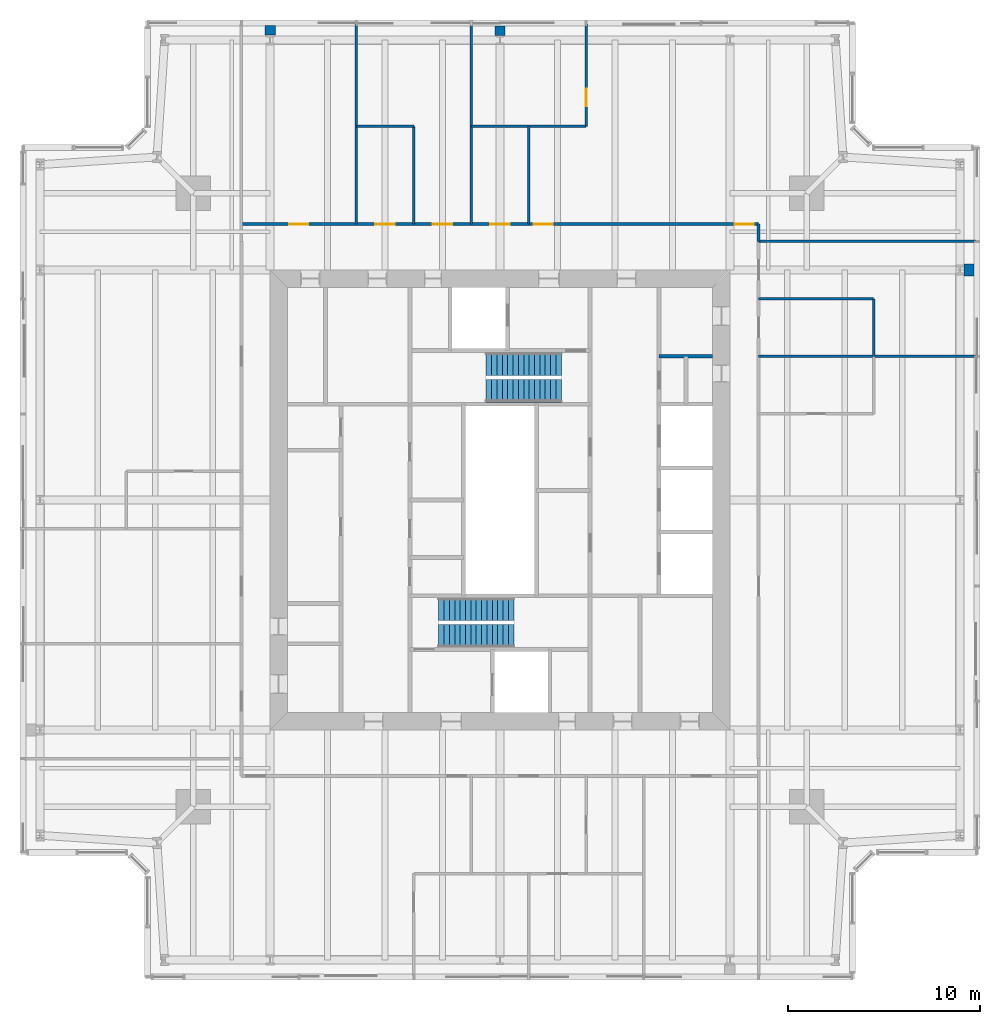
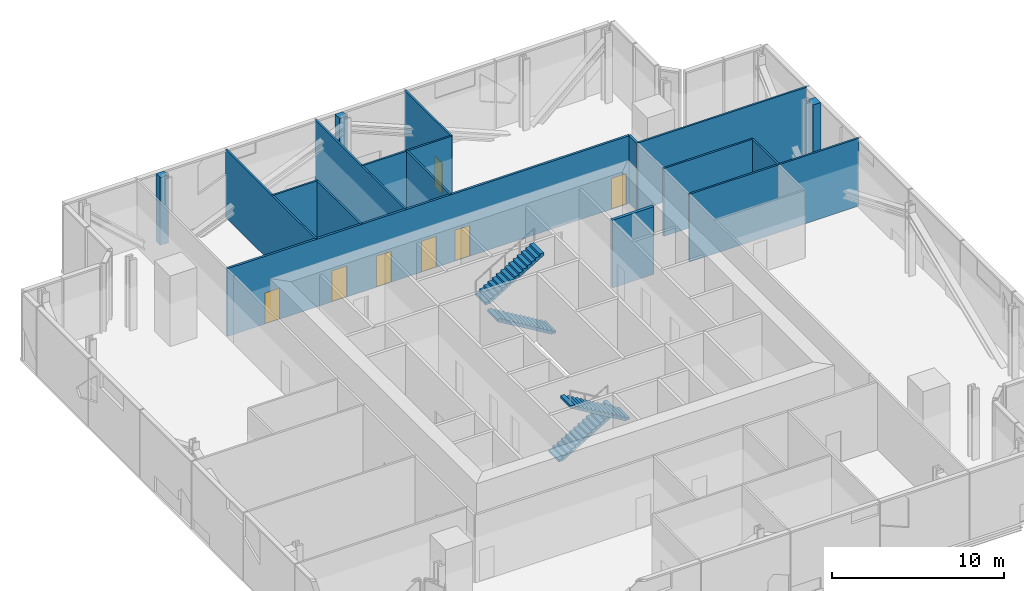
# One storey, part 10 of 15: 17 walls, 7 doors, 4 stair flights, 7 openings, 2 elements without a shape of their own.
"""IFC4 building model written with IfcOpenShell, lengths in metres."""

from ifc_helpers import new_model, si_unit, direction, frame, frame_2d, origin, place, context, subcontext, project, spatial, polyline, rectangle, outline, extrude, material, layer, layer_set, type_object, element, fill, aggregate, save


model = new_model("IFC4")

# Units and contexts
model_context = context("Model", 3, precision=1e-05, world=origin(), true_north=direction((0.0, 1.0)))
body_context = subcontext(model_context, "Body", "Model", "MODEL_VIEW")
ifc_project = project(units=[si_unit("LENGTHUNIT", "METRE"), si_unit("AREAUNIT", "SQUARE_METRE"), si_unit("VOLUMEUNIT", "CUBIC_METRE"), si_unit("PLANEANGLEUNIT", "RADIAN"), si_unit("MASSUNIT", "GRAM", prefix="KILO")], contexts=[model_context])

# Site, building, storey
site_placement = place(None, origin())
site = spatial("IfcSite", under=ifc_project, at=site_placement, CompositionType="ELEMENT")
building_placement = place(site_placement, origin())
building = spatial("IfcBuilding", under=site, at=building_placement, Name="Fenwick Lantern Interchange", CompositionType="ELEMENT")
storey_placement = place(building_placement, frame((0.0, 0.0, 296.800048828125)))
storey = spatial("IfcBuildingStorey", under=building, at=storey_placement, Name="L72", CompositionType="ELEMENT", Elevation=296.800048828125)

# Walls
ifc_material_1 = material(Name="Fire-rated gypsum board encasement on steel studs, 2 hour", Category="steel")
ifc_layer_1 = layer(ifc_material_1, 0.52392578125)
ifc_layer_set_1 = layer_set([ifc_layer_1], Name="COLUMN PIER 524")
wall_type_1 = type_object("IfcWallType", Name="COLUMN PIER 524", PredefinedType="PARTITIONING", material=ifc_layer_set_1)
wall_1_placement = place(storey_placement, frame((25.0, 49.75, 0.0), z_axis=(0.0, 0.0, 1.0), x_axis=(0.0, -1.0, 0.0)))
element("IfcWall", 1, at=wall_1_placement, inside=storey, type_object=wall_type_1, Name="L72/W/PIER/CN3", PredefinedType="PARTITIONING", context=body_context, shape_type="SweptSolid", body=[
    extrude(rectangle(XDim=0.512451171875, YDim=0.52392578125, at=frame_2d((0.25634765625, 0.0))), origin(), (0.0, 0.0, 1.0), 4.800048828125),
])
ifc_layer_2 = layer(ifc_material_1, 0.5419921875)
ifc_layer_set_2 = layer_set([ifc_layer_2], Name="COLUMN PIER 542")
wall_type_2 = type_object("IfcWallType", Name="COLUMN PIER 542", PredefinedType="PARTITIONING", material=ifc_layer_set_2)
wall_2_placement = place(storey_placement, frame((13.0, 49.75, 0.0), z_axis=(0.0, 0.0, 1.0), x_axis=(0.0, -1.0, 0.0)))
element("IfcWall", 2, at=wall_2_placement, inside=storey, type_object=wall_type_2, Name="L72/W/PIER/CN4", PredefinedType="PARTITIONING", context=body_context, shape_type="SweptSolid", body=[
    extrude(rectangle(XDim=0.484619140625, YDim=0.5419921875, at=frame_2d((0.2421875, 0.0))), origin(), (0.0, 0.0, 1.0), 4.800048828125),
])
ifc_layer_3 = layer(ifc_material_1, 0.631103515625)
ifc_layer_set_3 = layer_set([ifc_layer_3], Name="COLUMN PIER 631")
wall_type_3 = type_object("IfcWallType", Name="COLUMN PIER 631", PredefinedType="PARTITIONING", material=ifc_layer_set_3)
wall_3_placement = place(storey_placement, frame((49.75, 37.0, 0.0), z_axis=(0.0, 0.0, 1.0), x_axis=(-1.0, 0.0, 0.0)))
element("IfcWall", 3, at=wall_3_placement, inside=storey, type_object=wall_type_3, Name="L72/W/PIER/CE4", PredefinedType="PARTITIONING", context=body_context, shape_type="SweptSolid", body=[
    extrude(rectangle(XDim=0.529052734375, YDim=0.631103515625, at=frame_2d((0.2646484375, 0.0))), origin(), (0.0, 0.0, 1.0), 4.800048828125),
])
ifc_material_2 = material(Name="Concrete masonry ASTM C90 Grade N", Category="masonry")
ifc_layer_4 = layer(ifc_material_2, 0.199951171875)
ifc_layer_set_4 = layer_set([ifc_layer_4], Name="Concrete masonry ASTM C90 Grade N")
wall_type_4 = type_object("IfcWallType", Name="CORE PARTITION 200", PredefinedType="PARTITIONING", material=ifc_layer_set_4)
wall_4_placement = place(storey_placement, frame((36.10009765625, 32.5, 0.0), z_axis=(0.0, 0.0, 1.0), x_axis=(-1.0, 0.0, 0.0)))
element("IfcWall", 4, at=wall_4_placement, inside=storey, type_object=wall_type_4, Name="L72/W/COREN/p1", PredefinedType="PARTITIONING", context=body_context, shape_type="SweptSolid", body=[
    extrude(rectangle(XDim=2.800048828125, YDim=0.199951171875, at=frame_2d((1.39990234375, 0.0))), origin(), (0.0, 0.0, 1.0), 4.800048828125),
])
ifc_material_3 = material(Name="Gypsum board on steel studs, 1 hour", Category="steel")
ifc_layer_5 = layer(ifc_material_3, 0.14990234375)
ifc_layer_set_5 = layer_set([ifc_layer_5], Name="CORRIDOR WALL 150")
wall_type_5 = type_object("IfcWallType", Name="CORRIDOR WALL 150", PredefinedType="PARTITIONING", material=ifc_layer_set_5)
wall_5_placement = place(storey_placement, frame((38.5, 38.5, 0.0), z_axis=(0.0, 0.0, 1.0), x_axis=(0.0, 1.0, 0.0)))
element("IfcWall", 5, at=wall_5_placement, inside=storey, type_object=wall_type_5, Name="L72/W/OFF/N/CWJ", PredefinedType="PARTITIONING", context=body_context, shape_type="SweptSolid", body=[
    extrude(rectangle(XDim=0.89990234375, YDim=0.14990234375, at=frame_2d((0.449951171875, 0.0))), origin(), (0.0, 0.0, 1.0), 4.800048828125),
])

# Wall, openings, doors
wall_6_placement = place(storey_placement, frame((38.5, 39.39990234375, 0.0), z_axis=(0.0, 0.0, 1.0), x_axis=(-1.0, 0.0, 0.0)))
wall_6 = element("IfcWall", 6, at=wall_6_placement, inside=storey, type_object=wall_type_5, Name="L72/W/OFF/N/CW2", PredefinedType="PARTITIONING", context=body_context, shape_type="SweptSolid", body=[
    extrude(rectangle(XDim=27.0, YDim=0.14990234375, at=frame_2d((13.5, 0.0))), origin(), (0.0, 0.0, 1.0), 4.800048828125),
])
opening_1_placement = place(wall_6_placement, frame((0.25, 0.0, 0.0)))
opening_1 = element("IfcOpeningElement", 7, at=opening_1_placement, cuts=wall_6, Name="Opening L72-D036", PredefinedType="OPENING", context=body_context, shape_type="SweptSolid", body=[
    extrude(rectangle(XDim=1.0, YDim=2.199951171875, at=frame_2d((0.5, 1.10009765625))), frame((0.0, 0.0849609375, 0.0), z_axis=(0.0, -1.0, 0.0), x_axis=(1.0, 0.0, 0.0)), (0.0, 0.0, 1.0), 0.169921875),
])
opening_2_placement = place(wall_6_placement, frame((10.75, 0.0, 0.0)))
opening_2 = element("IfcOpeningElement", 8, at=opening_2_placement, cuts=wall_6, Name="Opening L72-D037", PredefinedType="OPENING", context=body_context, shape_type="SweptSolid", body=[
    extrude(rectangle(XDim=1.0, YDim=2.199951171875, at=frame_2d((0.5, 1.10009765625))), frame((0.0, 0.0849609375, 0.0), z_axis=(0.0, -1.0, 0.0), x_axis=(1.0, 0.0, 0.0)), (0.0, 0.0, 1.0), 0.169921875),
])
opening_3_placement = place(wall_6_placement, frame((13.0, 0.0, 0.0)))
opening_3 = element("IfcOpeningElement", 9, at=opening_3_placement, cuts=wall_6, Name="Opening L72-D039", PredefinedType="OPENING", context=body_context, shape_type="SweptSolid", body=[
    extrude(rectangle(XDim=1.0, YDim=2.199951171875, at=frame_2d((0.5, 1.10009765625))), frame((0.0, 0.0849609375, 0.0), z_axis=(0.0, -1.0, 0.0), x_axis=(1.0, 0.0, 0.0)), (0.0, 0.0, 1.0), 0.169921875),
])
opening_4_placement = place(wall_6_placement, frame((16.0, 0.0, 0.0)))
opening_4 = element("IfcOpeningElement", 10, at=opening_4_placement, cuts=wall_6, Name="Opening L72-D040", PredefinedType="OPENING", context=body_context, shape_type="SweptSolid", body=[
    extrude(rectangle(XDim=1.0, YDim=2.199951171875, at=frame_2d((0.5, 1.10009765625))), frame((0.0, 0.0849609375, 0.0), z_axis=(0.0, -1.0, 0.0), x_axis=(1.0, 0.0, 0.0)), (0.0, 0.0, 1.0), 0.169921875),
])
opening_5_placement = place(wall_6_placement, frame((19.0, 0.0, 0.0)))
opening_5 = element("IfcOpeningElement", 11, at=opening_5_placement, cuts=wall_6, Name="Opening L72-D041", PredefinedType="OPENING", context=body_context, shape_type="SweptSolid", body=[
    extrude(rectangle(XDim=1.0, YDim=2.199951171875, at=frame_2d((0.5, 1.10009765625))), frame((0.0, 0.0849609375, 0.0), z_axis=(0.0, -1.0, 0.0), x_axis=(1.0, 0.0, 0.0)), (0.0, 0.0, 1.0), 0.169921875),
])
opening_6_placement = place(wall_6_placement, frame((23.5, 0.0, 0.0)))
opening_6 = element("IfcOpeningElement", 12, at=opening_6_placement, cuts=wall_6, Name="Opening L72-D042", PredefinedType="OPENING", context=body_context, shape_type="SweptSolid", body=[
    extrude(rectangle(XDim=1.0, YDim=2.199951171875, at=frame_2d((0.5, 1.10009765625))), frame((0.0, 0.0849609375, 0.0), z_axis=(0.0, -1.0, 0.0), x_axis=(1.0, 0.0, 0.0)), (0.0, 0.0, 1.0), 0.169921875),
])
ifc_material_4 = material(Name="Steel door and frame", Category="steel")
door_type_1 = type_object("IfcDoorType", Name="SUITE ENTRANCE DOOR 1000 X 2200", OperationType="SINGLE_SWING_LEFT", PredefinedType="DOOR", material=ifc_material_4)
door_1_placement = place(opening_1_placement, origin())
door_1 = element("IfcDoor", 13, at=door_1_placement, inside=storey, type_object=door_type_1, Name="Suite entrance door", OperationType="SINGLE_SWING_LEFT", OverallHeight=2.199951171875, OverallWidth=1.0, PredefinedType="DOOR", context=body_context, shape_type="SweptSolid", body=[
    extrude(rectangle(XDim=1.0, YDim=2.199951171875, at=frame_2d((0.5, 1.10009765625))), frame((0.0, 0.02490234375, 0.0), z_axis=(0.0, -1.0, 0.0), x_axis=(1.0, 0.0, 0.0)), (0.0, 0.0, 1.0), 0.050048828125),
])
fill(opening_1, door_1)
door_2_placement = place(opening_2_placement, origin())
door_2 = element("IfcDoor", 14, at=door_2_placement, inside=storey, type_object=door_type_1, Name="Suite entrance door", OperationType="SINGLE_SWING_LEFT", OverallHeight=2.199951171875, OverallWidth=1.0, PredefinedType="DOOR", context=body_context, shape_type="SweptSolid", body=[
    extrude(rectangle(XDim=1.0, YDim=2.199951171875, at=frame_2d((0.5, 1.10009765625))), frame((0.0, 0.02490234375, 0.0), z_axis=(0.0, -1.0, 0.0), x_axis=(1.0, 0.0, 0.0)), (0.0, 0.0, 1.0), 0.050048828125),
])
fill(opening_2, door_2)
door_3_placement = place(opening_3_placement, frame((1.0, 0.0, 0.0), z_axis=(0.0, 0.0, 1.0), x_axis=(-1.0, 0.0, 0.0)))
door_3 = element("IfcDoor", 15, at=door_3_placement, inside=storey, type_object=door_type_1, Name="Suite entrance door", OperationType="SINGLE_SWING_RIGHT", OverallHeight=2.199951171875, OverallWidth=1.0, PredefinedType="DOOR", context=body_context, shape_type="SweptSolid", body=[
    extrude(rectangle(XDim=1.0, YDim=2.199951171875, at=frame_2d((0.5, 1.10009765625))), frame((0.0, 0.02490234375, 0.0), z_axis=(0.0, -1.0, 0.0), x_axis=(1.0, 0.0, 0.0)), (0.0, 0.0, 1.0), 0.050048828125),
])
fill(opening_3, door_3)
door_4_placement = place(opening_4_placement, frame((1.0, 0.0, 0.0), z_axis=(0.0, 0.0, 1.0), x_axis=(-1.0, 0.0, 0.0)))
door_4 = element("IfcDoor", 16, at=door_4_placement, inside=storey, type_object=door_type_1, Name="Suite entrance door", OperationType="SINGLE_SWING_RIGHT", OverallHeight=2.199951171875, OverallWidth=1.0, PredefinedType="DOOR", context=body_context, shape_type="SweptSolid", body=[
    extrude(rectangle(XDim=1.0, YDim=2.199951171875, at=frame_2d((0.5, 1.10009765625))), frame((0.0, 0.02490234375, 0.0), z_axis=(0.0, -1.0, 0.0), x_axis=(1.0, 0.0, 0.0)), (0.0, 0.0, 1.0), 0.050048828125),
])
fill(opening_4, door_4)
door_5_placement = place(opening_5_placement, frame((1.0, 0.0, 0.0), z_axis=(0.0, 0.0, 1.0), x_axis=(-1.0, 0.0, 0.0)))
door_5 = element("IfcDoor", 17, at=door_5_placement, inside=storey, type_object=door_type_1, Name="Suite entrance door", OperationType="SINGLE_SWING_RIGHT", OverallHeight=2.199951171875, OverallWidth=1.0, PredefinedType="DOOR", context=body_context, shape_type="SweptSolid", body=[
    extrude(rectangle(XDim=1.0, YDim=2.199951171875, at=frame_2d((0.5, 1.10009765625))), frame((0.0, 0.02490234375, 0.0), z_axis=(0.0, -1.0, 0.0), x_axis=(1.0, 0.0, 0.0)), (0.0, 0.0, 1.0), 0.050048828125),
])
fill(opening_5, door_5)
door_6_placement = place(opening_6_placement, frame((1.0, 0.0, 0.0), z_axis=(0.0, 0.0, 1.0), x_axis=(-1.0, 0.0, 0.0)))
door_6 = element("IfcDoor", 18, at=door_6_placement, inside=storey, type_object=door_type_1, Name="Suite entrance door", OperationType="SINGLE_SWING_RIGHT", OverallHeight=2.199951171875, OverallWidth=1.0, PredefinedType="DOOR", context=body_context, shape_type="SweptSolid", body=[
    extrude(rectangle(XDim=1.0, YDim=2.199951171875, at=frame_2d((0.5, 1.10009765625))), frame((0.0, 0.02490234375, 0.0), z_axis=(0.0, -1.0, 0.0), x_axis=(1.0, 0.0, 0.0)), (0.0, 0.0, 1.0), 0.050048828125),
])
fill(opening_6, door_6)

# Walls
ifc_material_5 = material(Name="Gypsum board on steel studs, acoustic", Category="steel")
ifc_layer_6 = layer(ifc_material_5, 0.125)
ifc_layer_set_6 = layer_set([ifc_layer_6], Name="OFFICE PARTITION 125")
wall_type_6 = type_object("IfcWallType", Name="OFFICE PARTITION 125", PredefinedType="PARTITIONING", material=ifc_layer_set_6)
wall_7_placement = place(storey_placement, frame((49.85009765625, 32.5, 0.0), z_axis=(0.0, 0.0, 1.0), x_axis=(-1.0, 0.0, 0.0)))
element("IfcWall", 19, at=wall_7_placement, inside=storey, type_object=wall_type_6, Name="L72/W/OFF/E/X325-1", PredefinedType="PARTITIONING", context=body_context, shape_type="SweptSolid", body=[
    extrude(rectangle(XDim=11.35009765625, YDim=0.125, at=frame_2d((5.675048828125, 0.0))), origin(), (0.0, 0.0, 1.0), 4.800048828125),
])
wall_8_placement = place(storey_placement, frame((44.5, 35.5, 0.0), z_axis=(0.0, 0.0, 1.0), x_axis=(-1.0, 0.0, 0.0)))
element("IfcWall", 20, at=wall_8_placement, inside=storey, type_object=wall_type_6, Name="L72/W/OFF/E/X355-1", PredefinedType="PARTITIONING", context=body_context, shape_type="SweptSolid", body=[
    extrude(rectangle(XDim=6.0, YDim=0.125, at=frame_2d((3.0, 0.0))), origin(), (0.0, 0.0, 1.0), 4.800048828125),
])
wall_9_placement = place(storey_placement, frame((44.5, 32.5, 0.0), z_axis=(0.0, 0.0, 1.0), x_axis=(0.0, 1.0, 0.0)))
element("IfcWall", 21, at=wall_9_placement, inside=storey, type_object=wall_type_6, Name="L72/W/OFF/E/Y55-2", PredefinedType="PARTITIONING", context=body_context, shape_type="SweptSolid", body=[
    extrude(rectangle(XDim=3.0, YDim=0.125, at=frame_2d((1.5, 0.0))), origin(), (0.0, 0.0, 1.0), 4.800048828125),
])
wall_10_placement = place(storey_placement, frame((49.85009765625, 38.5, 0.0), z_axis=(0.0, 0.0, 1.0), x_axis=(-1.0, 0.0, 0.0)))
element("IfcWall", 22, at=wall_10_placement, inside=storey, type_object=wall_type_6, Name="L72/W/OFF/N/BACK", PredefinedType="PARTITIONING", context=body_context, shape_type="SweptSolid", body=[
    extrude(rectangle(XDim=11.35009765625, YDim=0.125, at=frame_2d((5.675048828125, 0.0))), origin(), (0.0, 0.0, 1.0), 4.800048828125),
])

# Wall, opening, door
wall_11_placement = place(storey_placement, frame((29.5, 49.85009765625, 0.0), z_axis=(0.0, 0.0, 1.0), x_axis=(0.0, -1.0, 0.0)))
wall_11 = element("IfcWall", 23, at=wall_11_placement, inside=storey, type_object=wall_type_6, Name="L72/W/OFF/N/X205-1", PredefinedType="PARTITIONING", context=body_context, shape_type="SweptSolid", body=[
    extrude(rectangle(XDim=5.35009765625, YDim=0.125, at=frame_2d((2.675048828125, 0.0))), origin(), (0.0, 0.0, 1.0), 4.800048828125),
])
opening_7_placement = place(wall_11_placement, frame((3.39990234375, 0.0, 0.0)))
opening_7 = element("IfcOpeningElement", 24, at=opening_7_placement, cuts=wall_11, Name="Opening L72-D038", PredefinedType="OPENING", context=body_context, shape_type="SweptSolid", body=[
    extrude(rectangle(XDim=0.89990234375, YDim=2.199951171875, at=frame_2d((0.449951171875, 1.10009765625))), frame((0.0, 0.072509765625, 0.0), z_axis=(0.0, -1.0, 0.0), x_axis=(1.0, 0.0, 0.0)), (0.0, 0.0, 1.0), 0.14501953125),
])
ifc_material_6 = material(Name="Hardwood door and steel frame", Category="steel")
door_type_2 = type_object("IfcDoorType", Name="OFFICE DOOR 900 X 2200", OperationType="SINGLE_SWING_LEFT", PredefinedType="DOOR", material=ifc_material_6)
door_7_placement = place(opening_7_placement, frame((0.89990234375, 0.0, 0.0), z_axis=(0.0, 0.0, 1.0), x_axis=(-1.0, 0.0, 0.0)))
door_7 = element("IfcDoor", 25, at=door_7_placement, inside=storey, type_object=door_type_2, Name="Office door", OperationType="SINGLE_SWING_LEFT", OverallHeight=2.199951171875, OverallWidth=0.89990234375, PredefinedType="DOOR", context=body_context, shape_type="SweptSolid", body=[
    extrude(rectangle(XDim=0.89990234375, YDim=2.199951171875, at=frame_2d((0.449951171875, 1.10009765625))), frame((0.0, 0.02490234375, 0.0), z_axis=(0.0, -1.0, 0.0), x_axis=(1.0, 0.0, 0.0)), (0.0, 0.0, 1.0), 0.050048828125),
])
fill(opening_7, door_7)

# Walls
wall_12_placement = place(storey_placement, frame((26.5, 44.5, 0.0), z_axis=(0.0, 0.0, 1.0), x_axis=(0.0, -1.0, 0.0)))
element("IfcWall", 26, at=wall_12_placement, inside=storey, type_object=wall_type_6, Name="L72/W/OFF/N/X235-1", PredefinedType="PARTITIONING", context=body_context, shape_type="SweptSolid", body=[
    extrude(rectangle(XDim=5.10009765625, YDim=0.125, at=frame_2d((2.550048828125, 0.0))), origin(), (0.0, 0.0, 1.0), 4.800048828125),
])
wall_13_placement = place(storey_placement, frame((23.5, 49.85009765625, 0.0), z_axis=(0.0, 0.0, 1.0), x_axis=(0.0, -1.0, 0.0)))
element("IfcWall", 27, at=wall_13_placement, inside=storey, type_object=wall_type_6, Name="L72/W/OFF/N/X265-1", PredefinedType="PARTITIONING", context=body_context, shape_type="SweptSolid", body=[
    extrude(rectangle(XDim=10.4501953125, YDim=0.125, at=frame_2d((5.22509765625, 0.0))), origin(), (0.0, 0.0, 1.0), 4.800048828125),
])
wall_14_placement = place(storey_placement, frame((20.5, 44.5, 0.0), z_axis=(0.0, 0.0, 1.0), x_axis=(0.0, -1.0, 0.0)))
element("IfcWall", 28, at=wall_14_placement, inside=storey, type_object=wall_type_6, Name="L72/W/OFF/N/X295-1", PredefinedType="PARTITIONING", context=body_context, shape_type="SweptSolid", body=[
    extrude(rectangle(XDim=5.10009765625, YDim=0.125, at=frame_2d((2.550048828125, 0.0))), origin(), (0.0, 0.0, 1.0), 4.800048828125),
])
wall_15_placement = place(storey_placement, frame((17.5, 49.85009765625, 0.0), z_axis=(0.0, 0.0, 1.0), x_axis=(0.0, -1.0, 0.0)))
element("IfcWall", 29, at=wall_15_placement, inside=storey, type_object=wall_type_6, Name="L72/W/OFF/N/X325-1", PredefinedType="PARTITIONING", context=body_context, shape_type="SweptSolid", body=[
    extrude(rectangle(XDim=10.4501953125, YDim=0.125, at=frame_2d((5.22509765625, 0.0))), origin(), (0.0, 0.0, 1.0), 4.800048828125),
])
wall_16_placement = place(storey_placement, frame((29.5, 44.5, 0.0), z_axis=(0.0, 0.0, 1.0), x_axis=(-1.0, 0.0, 0.0)))
element("IfcWall", 30, at=wall_16_placement, inside=storey, type_object=wall_type_6, Name="L72/W/OFF/N/Y55-1", PredefinedType="PARTITIONING", context=body_context, shape_type="SweptSolid", body=[
    extrude(rectangle(XDim=6.0, YDim=0.125, at=frame_2d((3.0, 0.0))), origin(), (0.0, 0.0, 1.0), 4.800048828125),
])
wall_17_placement = place(storey_placement, frame((20.5, 44.5, 0.0), z_axis=(0.0, 0.0, 1.0), x_axis=(-1.0, 0.0, 0.0)))
element("IfcWall", 31, at=wall_17_placement, inside=storey, type_object=wall_type_6, Name="L72/W/OFF/N/Y55-2", PredefinedType="PARTITIONING", context=body_context, shape_type="SweptSolid", body=[
    extrude(rectangle(XDim=3.0, YDim=0.125, at=frame_2d((1.5, 0.0))), origin(), (0.0, 0.0, 1.0), 4.800048828125),
])

# Stair, stair flights
ifc_material_7 = material(Name="Precast concrete f'c 35 MPa", Category="concrete")
stair_type = type_object("IfcStairType", Name="EXIT STAIR 1200", PredefinedType="HALF_TURN_STAIR", material=ifc_material_7)
stair_1_placement = place(storey_placement, origin())
stair_1 = element("IfcStair", 32, at=stair_1_placement, inside=storey, type_object=stair_type, Name="Exit stair ST1", PredefinedType="HALF_TURN_STAIR")
stair_flight_type = type_object("IfcStairFlightType", Name="STAIR FLIGHT 1200", PredefinedType="STRAIGHT", material=ifc_material_7)
stair_flight_1_placement = place(storey_placement, frame((21.800048828125, 19.300048828125, 0.0), z_axis=(0.0, 0.0, 1.0), x_axis=(1.0, 0.0, 0.0)))
stair_flight_1 = element("IfcStairFlight", 33, at=stair_flight_1_placement, type_object=stair_flight_type, Name="ST1 flight 1", NumberOfRisers=15, NumberOfTreads=14, PredefinedType="STRAIGHT", RiserHeight=0.166666667, TreadLength=0.28, context=body_context, shape_type="SweptSolid", body=[
    extrude(outline(polyline([(0.0, 0.0), (0.0, 0.166748046875), (0.280029296875, 0.166748046875), (0.280029296875, 0.333251953125), (0.56005859375, 0.333251953125), (0.56005859375, 0.5), (0.840087890625, 0.5), (0.840087890625, 0.666748046875), (1.1201171875, 0.666748046875), (1.1201171875, 0.833251953125), (1.39990234375, 0.833251953125), (1.39990234375, 1.0), (1.679931640625, 1.0), (1.679931640625, 1.166748046875), (1.9599609375, 1.166748046875), (1.9599609375, 1.333251953125), (2.239990234375, 1.333251953125), (2.239990234375, 1.5), (2.52001953125, 1.5), (2.52001953125, 1.666748046875), (2.800048828125, 1.666748046875), (2.800048828125, 1.833251953125), (3.080078125, 1.833251953125), (3.080078125, 2.0), (3.360107421875, 2.0), (3.360107421875, 2.166748046875), (3.639892578125, 2.166748046875), (3.639892578125, 2.333251953125), (3.919921875, 2.333251953125), (3.919921875, 2.5), (3.919921875, 2.158935546875), (0.29296875, 0.0), (0.0, 0.0)])), frame((0.0, 0.60009765625, 0.0), z_axis=(0.0, -1.0, 0.0), x_axis=(1.0, 0.0, 0.0)), (0.0, 0.0, 1.0), 1.199951171875),
])
stair_flight_2_placement = place(storey_placement, frame((25.719970703125, 17.89990234375, 2.5), z_axis=(0.0, 0.0, 1.0), x_axis=(-1.0, 0.0, 0.0)))
stair_flight_2 = element("IfcStairFlight", 34, at=stair_flight_2_placement, type_object=stair_flight_type, Name="ST1 flight 2", NumberOfRisers=15, NumberOfTreads=14, PredefinedType="STRAIGHT", RiserHeight=0.166666667, TreadLength=0.28, context=body_context, shape_type="SweptSolid", body=[
    extrude(outline(polyline([(0.0, 0.0), (0.0, 0.166748046875), (0.280029296875, 0.166748046875), (0.280029296875, 0.333251953125), (0.56005859375, 0.333251953125), (0.56005859375, 0.5), (0.840087890625, 0.5), (0.840087890625, 0.666748046875), (1.1201171875, 0.666748046875), (1.1201171875, 0.833251953125), (1.39990234375, 0.833251953125), (1.39990234375, 1.0), (1.679931640625, 1.0), (1.679931640625, 1.166748046875), (1.9599609375, 1.166748046875), (1.9599609375, 1.333251953125), (2.239990234375, 1.333251953125), (2.239990234375, 1.5), (2.52001953125, 1.5), (2.52001953125, 1.666748046875), (2.800048828125, 1.666748046875), (2.800048828125, 1.833251953125), (3.080078125, 1.833251953125), (3.080078125, 2.0), (3.360107421875, 2.0), (3.360107421875, 2.166748046875), (3.639892578125, 2.166748046875), (3.639892578125, 2.333251953125), (3.919921875, 2.333251953125), (3.919921875, 2.5), (3.919921875, 2.158935546875), (0.29296875, 0.0), (0.0, 0.0)])), frame((0.0, 0.60009765625, 0.0), z_axis=(0.0, -1.0, 0.0), x_axis=(1.0, 0.0, 0.0)), (0.0, 0.0, 1.0), 1.199951171875),
])
aggregate(stair_1, [stair_flight_1, stair_flight_2])

stair_2_placement = place(storey_placement, origin())
stair_2 = element("IfcStair", 35, at=stair_2_placement, inside=storey, type_object=stair_type, Name="Exit stair ST2", PredefinedType="HALF_TURN_STAIR")
stair_flight_3_placement = place(storey_placement, frame((28.199951171875, 30.699951171875, 0.0), z_axis=(0.0, 0.0, 1.0), x_axis=(-1.0, 0.0, 0.0)))
stair_flight_3 = element("IfcStairFlight", 36, at=stair_flight_3_placement, type_object=stair_flight_type, Name="ST2 flight 1", NumberOfRisers=15, NumberOfTreads=14, PredefinedType="STRAIGHT", RiserHeight=0.166666667, TreadLength=0.28, context=body_context, shape_type="SweptSolid", body=[
    extrude(outline(polyline([(0.0, 0.0), (0.0, 0.166748046875), (0.280029296875, 0.166748046875), (0.280029296875, 0.333251953125), (0.56005859375, 0.333251953125), (0.56005859375, 0.5), (0.840087890625, 0.5), (0.840087890625, 0.666748046875), (1.1201171875, 0.666748046875), (1.1201171875, 0.833251953125), (1.39990234375, 0.833251953125), (1.39990234375, 1.0), (1.679931640625, 1.0), (1.679931640625, 1.166748046875), (1.9599609375, 1.166748046875), (1.9599609375, 1.333251953125), (2.239990234375, 1.333251953125), (2.239990234375, 1.5), (2.52001953125, 1.5), (2.52001953125, 1.666748046875), (2.800048828125, 1.666748046875), (2.800048828125, 1.833251953125), (3.080078125, 1.833251953125), (3.080078125, 2.0), (3.360107421875, 2.0), (3.360107421875, 2.166748046875), (3.639892578125, 2.166748046875), (3.639892578125, 2.333251953125), (3.919921875, 2.333251953125), (3.919921875, 2.5), (3.919921875, 2.158935546875), (0.29296875, 0.0), (0.0, 0.0)])), frame((0.0, 0.60009765625, 0.0), z_axis=(0.0, -1.0, 0.0), x_axis=(1.0, 0.0, 0.0)), (0.0, 0.0, 1.0), 1.199951171875),
])
stair_flight_4_placement = place(storey_placement, frame((24.280029296875, 32.10009765625, 2.5), z_axis=(0.0, 0.0, 1.0), x_axis=(1.0, 0.0, 0.0)))
stair_flight_4 = element("IfcStairFlight", 37, at=stair_flight_4_placement, type_object=stair_flight_type, Name="ST2 flight 2", NumberOfRisers=15, NumberOfTreads=14, PredefinedType="STRAIGHT", RiserHeight=0.166666667, TreadLength=0.28, context=body_context, shape_type="SweptSolid", body=[
    extrude(outline(polyline([(0.0, 0.0), (0.0, 0.166748046875), (0.280029296875, 0.166748046875), (0.280029296875, 0.333251953125), (0.56005859375, 0.333251953125), (0.56005859375, 0.5), (0.840087890625, 0.5), (0.840087890625, 0.666748046875), (1.1201171875, 0.666748046875), (1.1201171875, 0.833251953125), (1.39990234375, 0.833251953125), (1.39990234375, 1.0), (1.679931640625, 1.0), (1.679931640625, 1.166748046875), (1.9599609375, 1.166748046875), (1.9599609375, 1.333251953125), (2.239990234375, 1.333251953125), (2.239990234375, 1.5), (2.52001953125, 1.5), (2.52001953125, 1.666748046875), (2.800048828125, 1.666748046875), (2.800048828125, 1.833251953125), (3.080078125, 1.833251953125), (3.080078125, 2.0), (3.360107421875, 2.0), (3.360107421875, 2.166748046875), (3.639892578125, 2.166748046875), (3.639892578125, 2.333251953125), (3.919921875, 2.333251953125), (3.919921875, 2.5), (3.919921875, 2.158935546875), (0.29296875, 0.0), (0.0, 0.0)])), frame((0.0, 0.60009765625, 0.0), z_axis=(0.0, -1.0, 0.0), x_axis=(1.0, 0.0, 0.0)), (0.0, 0.0, 1.0), 1.199951171875),
])
aggregate(stair_2, [stair_flight_3, stair_flight_4])

save(model, "model.ifc")
